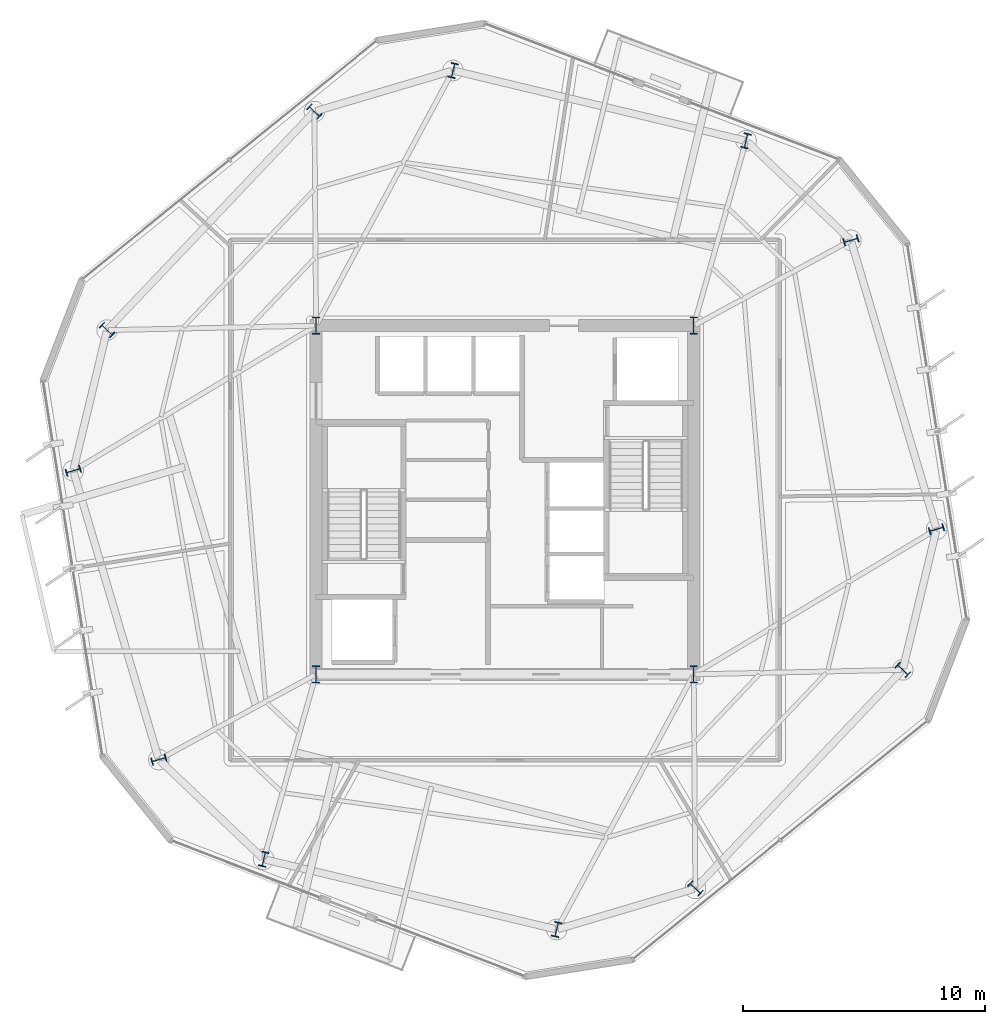
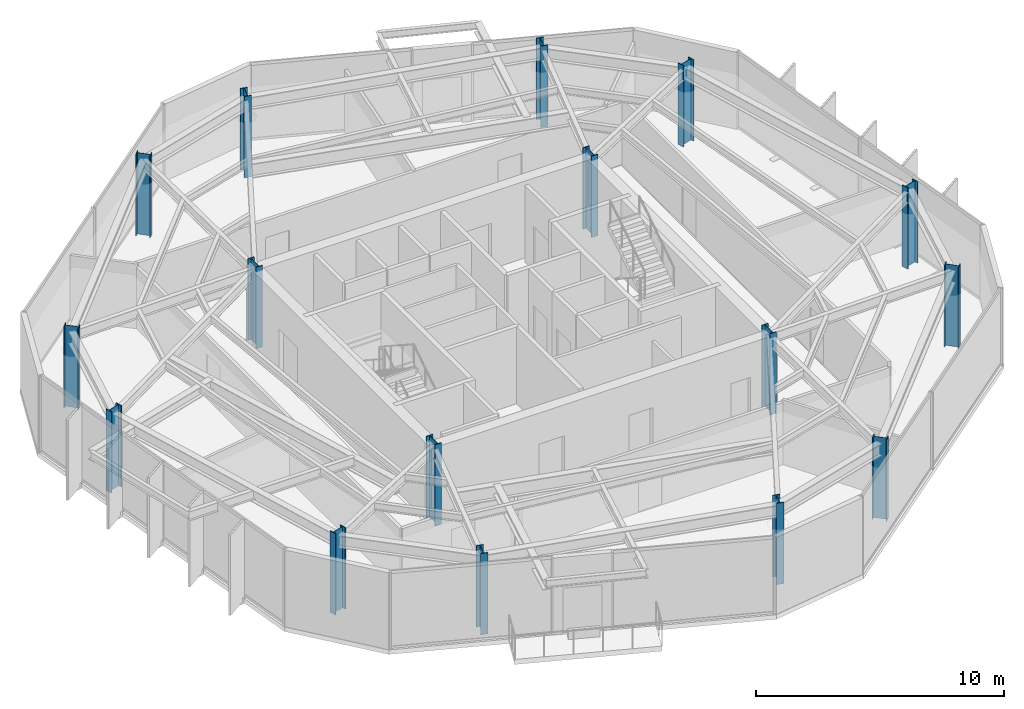
# One storey, part 1 of 12: 16 columns.
"""IFC4 building model written with IfcOpenShell, lengths in metres."""

from ifc_helpers import new_model, si_unit, direction, frame, origin, origin_2d, place, context, subcontext, project, spatial, i_section, extrude, material, material_profile, profile_set, type_object, element, save


model = new_model("IFC4")

# Units and contexts
model_context = context("Model", 3, precision=1e-05, world=origin(), true_north=direction((0.0, 1.0)))
body_context = subcontext(model_context, "Body", "Model", "MODEL_VIEW")
ifc_project = project(units=[si_unit("LENGTHUNIT", "METRE"), si_unit("AREAUNIT", "SQUARE_METRE"), si_unit("VOLUMEUNIT", "CUBIC_METRE"), si_unit("PLANEANGLEUNIT", "RADIAN"), si_unit("MASSUNIT", "GRAM", prefix="KILO")], contexts=[model_context])

# Site, building, storey
site_placement = place(None, origin())
site = spatial("IfcSite", under=ifc_project, at=site_placement, CompositionType="ELEMENT")
building_placement = place(site_placement, origin())
building = spatial("IfcBuilding", under=site, at=building_placement, Name="Kranzbogen Civic Tower", CompositionType="ELEMENT")
storey_placement = place(building_placement, frame((0.0, 0.0, 180.800048828125)))
storey = spatial("IfcBuildingStorey", under=building, at=storey_placement, Name="L43", CompositionType="ELEMENT", Elevation=180.800048828125)

# Columns
ifc_material_1 = material(Name="Steel S355", Category="steel")
ifc_material_profile_1 = material_profile(ifc_material_1, i_section(OverallWidth=0.304931640625, OverallDepth=0.6201171875, WebThickness=0.02099609375, FlangeThickness=0.0400390625, at=origin_2d()), Name="HEM 600")
ifc_profile_set_1 = profile_set([ifc_material_profile_1], Name="Steel S355")
column_type_1 = type_object("IfcColumnType", Name="Structural Column HEM 600", PredefinedType="COLUMN", material=ifc_profile_set_1)
for number, where, z_axis, x_axis, name in (
    (1, (34.9609375, 39.8349609375, 0.0), (0.0, 0.0, 1.0), (-0.972369920398, 0.233445363856, 0.0), "L43 tower perimeter tube column 01"),
    (2, (22.860107421875, 42.739990234375, 0.0), (0.0, 0.0, 1.0), (-0.972369920398, 0.233445363856, 0.0), "L43 tower perimeter tube column 02"),
    (3, (17.133056640625, 41.0439453125, 0.0), (0.0, 0.0, 1.0), (0.688354575694, 0.725374371012, 0.0), "L43 tower perimeter tube column 03"),
    (4, (8.56689453125, 32.01611328125, 0.0), (0.0, 0.0, 1.0), (0.688354575694, 0.725374371012, 0.0), "L43 tower perimeter tube column 04"),
    (5, (7.172119140625, 26.208984375, 0.0), (0.0, 0.0, 1.0), (-0.284015344704, 0.958819734868, 0.0), "L43 tower perimeter tube column 05"),
    (6, (10.70703125, 14.27587890625, 0.0), (0.0, 0.0, 1.0), (-0.284015344704, 0.958819734868, 0.0), "L43 tower perimeter tube column 06"),
    (7, (15.0390625, 10.1650390625, 0.0), (0.0, 0.0, 1.0), (-0.972369920398, 0.233445363856, 0.0), "L43 tower perimeter tube column 07"),
    (8, (27.139892578125, 7.260009765625, 0.0), (0.0, 0.0, 1.0), (-0.972369920398, 0.233445363856, 0.0), "L43 tower perimeter tube column 08"),
    (9, (32.866943359375, 8.9560546875, 0.0), (0.0, 0.0, 1.0), (0.688354575694, 0.725374371012, 0.0), "L43 tower perimeter tube column 09"),
    (10, (41.43310546875, 17.98388671875, 0.0), (0.0, 0.0, 1.0), (0.688354575694, 0.725374371012, 0.0), "L43 tower perimeter tube column 10"),
    (11, (42.827880859375, 23.791015625, 0.0), (0.0, 0.0, 1.0), (-0.284015344704, 0.958819734868, 0.0), "L43 tower perimeter tube column 11"),
    (12, (39.29296875, 35.72412109375, 0.0), (0.0, 0.0, 1.0), (-0.284015344704, 0.958819734868, 0.0), "L43 tower perimeter tube column 12"),
):
    element("IfcColumn", number, at=place(storey_placement, frame(where, z_axis=z_axis, x_axis=x_axis)), inside=storey, type_object=column_type_1, Name=name, PredefinedType="COLUMN", context=body_context, shape_type="SweptSolid", body=[
        extrude(i_section(OverallWidth=0.304931640625, OverallDepth=0.6201171875, WebThickness=0.02099609375, FlangeThickness=0.0400390625, at=origin_2d()), origin(), (0.0, 0.0, 1.0), 4.0),
    ])
ifc_material_2 = material(Name="Steel S460", Category="steel")
ifc_material_profile_2 = material_profile(ifc_material_2, i_section(OverallWidth=0.303955078125, OverallDepth=0.716064453125, WebThickness=0.02099609375, FlangeThickness=0.0400390625, at=origin_2d()), Name="HEM 700")
ifc_profile_set_2 = profile_set([ifc_material_profile_2], Name="Steel S460")
column_type_2 = type_object("IfcColumnType", Name="Structural Column HEM 700", PredefinedType="COLUMN", material=ifc_profile_set_2)
for number, where, z_axis, x_axis, name in (
    (13, (17.199951171875, 17.800048828125, 0.0), (0.0, 0.0, 1.0), (1.0, 0.0, 0.0), "L43 composite core corner column 1"),
    (14, (32.800048828125, 17.800048828125, 0.0), (0.0, 0.0, 1.0), (1.0, 0.0, 0.0), "L43 composite core corner column 2"),
    (15, (32.800048828125, 32.199951171875, 0.0), (0.0, 0.0, 1.0), (1.0, 0.0, 0.0), "L43 composite core corner column 3"),
    (16, (17.199951171875, 32.199951171875, 0.0), (0.0, 0.0, 1.0), (1.0, 0.0, 0.0), "L43 composite core corner column 4"),
):
    element("IfcColumn", number, at=place(storey_placement, frame(where, z_axis=z_axis, x_axis=x_axis)), inside=storey, type_object=column_type_2, Name=name, PredefinedType="COLUMN", context=body_context, shape_type="SweptSolid", body=[
        extrude(i_section(OverallWidth=0.303955078125, OverallDepth=0.716064453125, WebThickness=0.02099609375, FlangeThickness=0.0400390625, at=origin_2d()), origin(), (0.0, 0.0, 1.0), 4.0),
    ])

save(model, "model.ifc")
